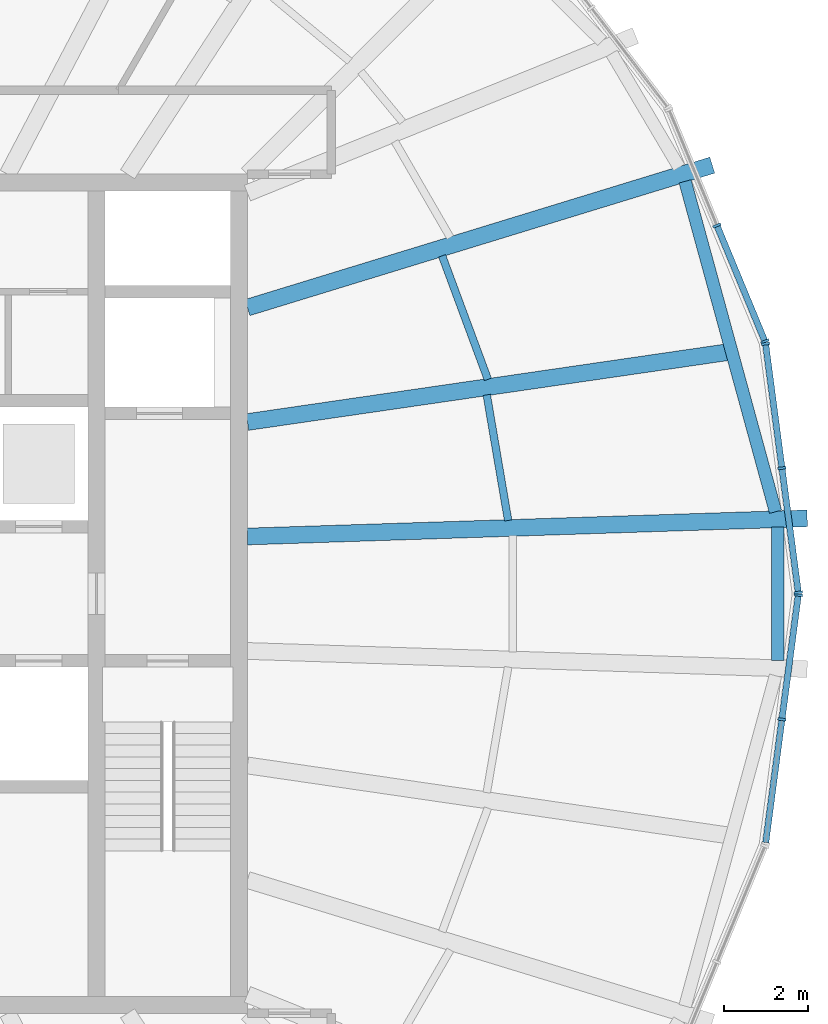
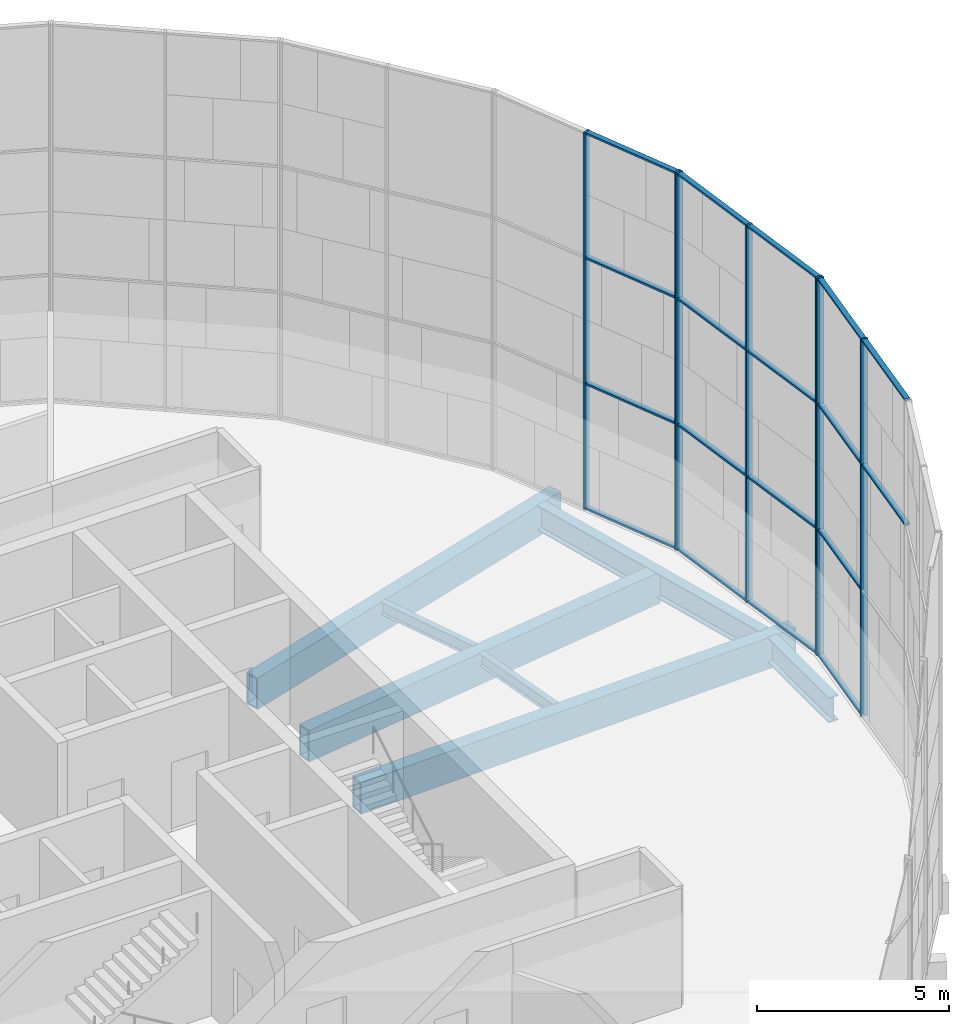
# One storey, part 5 of 23: 25 members, 7 beams, 3 elements without a shape of their own.
"""IFC4 building model written with IfcOpenShell, lengths in metres."""

from ifc_helpers import new_model, si_unit, direction, frame, origin, origin_2d, place, context, subcontext, project, spatial, rectangle, hollow_rectangle, i_section, extrude, material, material_profile, profile_set, type_object, element, aggregate, save


model = new_model("IFC4")

# Units and contexts
model_context = context("Model", 3, precision=1e-05, world=origin(), true_north=direction((0.0, 1.0)))
body_context = subcontext(model_context, "Body", "Model", "MODEL_VIEW")
ifc_project = project(units=[si_unit("LENGTHUNIT", "METRE"), si_unit("AREAUNIT", "SQUARE_METRE"), si_unit("VOLUMEUNIT", "CUBIC_METRE"), si_unit("PLANEANGLEUNIT", "RADIAN"), si_unit("MASSUNIT", "GRAM", prefix="KILO")], contexts=[model_context])

# Site, building, storey
site_placement = place(None, origin())
site = spatial("IfcSite", under=ifc_project, at=site_placement, CompositionType="ELEMENT")
building_placement = place(site_placement, origin())
building = spatial("IfcBuilding", under=site, at=building_placement, Name="Golbaran Civic Tower", CompositionType="ELEMENT")
storey_placement = place(building_placement, frame((0.0, 0.0, 220.0)))
storey = spatial("IfcBuildingStorey", under=building, at=storey_placement, Name="L53", CompositionType="ELEMENT", Elevation=220.0)

# Beams
ifc_material_1 = material(Name="Steel S355", Category="steel")
ifc_material_profile_1 = material_profile(ifc_material_1, i_section(OverallWidth=0.300048828125, OverallDepth=0.800048828125, WebThickness=0.017578125, FlangeThickness=0.032958984375, FilletRadius=0.030029296875, at=origin_2d()), Name="HEB 800")
ifc_profile_set_1 = profile_set([ifc_material_profile_1], Name="Steel S355")
beam_type_1 = type_object("IfcBeamType", Name="EDGE BEAM HEB 800", PredefinedType="BEAM", material=ifc_profile_set_1)
beam_1_placement = place(storey_placement, frame((22.587646484375, 1.953369140625, -0.60009765625), z_axis=(-0.264038175498, 0.964512230031, 0.0), x_axis=(-0.964512230031, -0.264038175498, 0.0)))
element("IfcBeam", 1, at=beam_1_placement, inside=storey, type_object=beam_type_1, Name="Edge beam 4.35 L53", PredefinedType="BEAM", context=body_context, shape_type="SweptSolid", body=[
    extrude(i_section(OverallWidth=0.300048828125, OverallDepth=0.800048828125, WebThickness=0.017578125, FlangeThickness=0.032958984375, FilletRadius=0.030029296875, at=origin_2d()), origin(), (0.0, 0.0, 1.0), 8.16552734375),
])
beam_2_placement = place(storey_placement, frame((22.63671875, -1.5947265625, -0.60009765625), z_axis=(0.0, 1.0, 0.0), x_axis=(-1.0, 0.0, 0.0)))
element("IfcBeam", 2, at=beam_2_placement, inside=storey, type_object=beam_type_1, Name="Edge beam 355.65 L53", PredefinedType="BEAM", context=body_context, shape_type="SweptSolid", body=[
    extrude(i_section(OverallWidth=0.300048828125, OverallDepth=0.800048828125, WebThickness=0.017578125, FlangeThickness=0.032958984375, FilletRadius=0.030029296875, at=origin_2d()), origin(), (0.0, 0.0, 1.0), 3.189453125),
])
ifc_material_profile_2 = material_profile(ifc_material_1, i_section(OverallWidth=0.179931640625, OverallDepth=0.39990234375, WebThickness=0.008544921875, FlangeThickness=0.013427734375, FilletRadius=0.02099609375, at=origin_2d()), Name="IPE 400")
ifc_profile_set_2 = profile_set([ifc_material_profile_2], Name="Steel S355")
beam_type_2 = type_object("IfcBeamType", Name="FLOOR INFILL BEAM IPE 400", PredefinedType="BEAM", material=ifc_profile_set_2)
beam_3_placement = place(storey_placement, frame((16.21435546875, 1.746337890625, -0.39990234375), z_axis=(-0.168046948827, 0.985778992975, 0.0), x_axis=(-0.985778992975, -0.168046948827, 0.0)))
element("IfcBeam", 3, at=beam_3_placement, inside=storey, type_object=beam_type_2, Name="Infill beam 9.67 L53", PredefinedType="BEAM", context=body_context, shape_type="SweptSolid", body=[
    extrude(i_section(OverallWidth=0.179931640625, OverallDepth=0.39990234375, WebThickness=0.008544921875, FlangeThickness=0.013427734375, FilletRadius=0.02099609375, at=origin_2d()), origin(), (0.0, 0.0, 1.0), 3.037841796875),
])
beam_4_placement = place(storey_placement, frame((15.73095703125, 5.108642578125, -0.39990234375), z_axis=(-0.347364974804, 0.9377300114, 0.0), x_axis=(-0.9377300114, -0.347364974804, 0.0)))
element("IfcBeam", 4, at=beam_4_placement, inside=storey, type_object=beam_type_2, Name="Infill beam 20.33 L53", PredefinedType="BEAM", context=body_context, shape_type="SweptSolid", body=[
    extrude(i_section(OverallWidth=0.179931640625, OverallDepth=0.39990234375, WebThickness=0.008544921875, FlangeThickness=0.013427734375, FilletRadius=0.02099609375, at=origin_2d()), origin(), (0.0, 0.0, 1.0), 3.1416015625),
])

# Curtain wall, members
ifc_material_2 = material(Name="Aluminium and glass", Category="aluminium")
curtain_wall_type = type_object("IfcCurtainWallType", Name="INNER SKIN CURTAIN WALL EXECUTIVE", PredefinedType="NOTDEFINED", material=ifc_material_2)
curtain_wall_1_placement = place(storey_placement, origin())
curtain_wall_1 = element("IfcCurtainWall", 5, at=curtain_wall_1_placement, inside=storey, type_object=curtain_wall_type, Name="Inner skin L53 facet 1 CW2", ObjectType="INNER SKIN", PredefinedType="USERDEFINED")
ifc_material_3 = material(Name="Aluminium", Category="aluminium")
ifc_material_profile_3 = material_profile(ifc_material_3, rectangle(XDim=0.199951171875, YDim=0.06005859375, at=origin_2d()), Name="INNER SKIN CURTAIN WALL EXECUTIVE MULLION")
ifc_profile_set_3 = profile_set([ifc_material_profile_3], Name="Aluminium")
member_type_1 = type_object("IfcMemberType", Name="INNER SKIN CURTAIN WALL EXECUTIVE MULLION", PredefinedType="MULLION", material=ifc_profile_set_3)
member_1_placement = place(storey_placement, frame((23.130126953125, 0.02978515625, 0.0), z_axis=(0.0, 0.0, 1.0), x_axis=(-0.991444861365, -0.130526192289, 0.0)))
member_1 = element("IfcMember", 6, at=member_1_placement, type_object=member_type_1, Name="CW2 mullion 1", PredefinedType="MULLION", context=body_context, shape_type="SweptSolid", body=[
    extrude(rectangle(XDim=0.199951171875, YDim=0.06005859375, at=origin_2d()), origin(), (0.0, 0.0, 1.0), 12.0),
])
member_2_placement = place(storey_placement, frame((22.73974609375, 2.99365234375, 0.0), z_axis=(0.0, 0.0, 1.0), x_axis=(-0.991444861365, -0.130526192289, 0.0)))
member_2 = element("IfcMember", 7, at=member_2_placement, type_object=member_type_1, Name="CW2 mullion 2", PredefinedType="MULLION", context=body_context, shape_type="SweptSolid", body=[
    extrude(rectangle(XDim=0.199951171875, YDim=0.06005859375, at=origin_2d()), origin(), (0.0, 0.0, 1.0), 12.0),
])
member_3_placement = place(storey_placement, frame((22.349609375, 5.957763671875, 0.0), z_axis=(0.0, 0.0, 1.0), x_axis=(-0.991444861365, -0.130526192289, 0.0)))
member_3 = element("IfcMember", 8, at=member_3_placement, type_object=member_type_1, Name="CW2 mullion 3", PredefinedType="MULLION", context=body_context, shape_type="SweptSolid", body=[
    extrude(rectangle(XDim=0.199951171875, YDim=0.06005859375, at=origin_2d()), origin(), (0.0, 0.0, 1.0), 12.0),
])

curtain_wall_2_placement = place(storey_placement, origin())
curtain_wall_2 = element("IfcCurtainWall", 9, at=curtain_wall_2_placement, inside=storey, type_object=curtain_wall_type, Name="Inner skin L53 facet 2 CW2", ObjectType="INNER SKIN", PredefinedType="USERDEFINED")
member_4_placement = place(storey_placement, frame((22.334228515625, 6.01513671875, 0.0), z_axis=(0.0, 0.0, 1.0), x_axis=(-0.923879532531, -0.382683432317, 0.0)))
member_4 = element("IfcMember", 10, at=member_4_placement, type_object=member_type_1, Name="CW2 mullion 1", PredefinedType="MULLION", context=body_context, shape_type="SweptSolid", body=[
    extrude(rectangle(XDim=0.199951171875, YDim=0.06005859375, at=origin_2d()), origin(), (0.0, 0.0, 1.0), 12.0),
])
member_5_placement = place(storey_placement, frame((21.190185546875, 8.77734375, 0.0), z_axis=(0.0, 0.0, 1.0), x_axis=(-0.923879532531, -0.382683432317, 0.0)))
member_5 = element("IfcMember", 11, at=member_5_placement, type_object=member_type_1, Name="CW2 mullion 2", PredefinedType="MULLION", context=body_context, shape_type="SweptSolid", body=[
    extrude(rectangle(XDim=0.199951171875, YDim=0.06005859375, at=origin_2d()), origin(), (0.0, 0.0, 1.0), 12.0),
])

curtain_wall_3_placement = place(storey_placement, origin())
curtain_wall_3 = element("IfcCurtainWall", 12, at=curtain_wall_3_placement, inside=storey, type_object=curtain_wall_type, Name="Inner skin L53 facet 24 CW2", ObjectType="INNER SKIN", PredefinedType="USERDEFINED")
member_6_placement = place(storey_placement, frame((22.73974609375, -2.99365234375, 0.0), z_axis=(0.0, 0.0, 1.0), x_axis=(-0.991444861365, 0.130526192289, 0.0)))
member_6 = element("IfcMember", 13, at=member_6_placement, type_object=member_type_1, Name="CW2 mullion 2", PredefinedType="MULLION", context=body_context, shape_type="SweptSolid", body=[
    extrude(rectangle(XDim=0.199951171875, YDim=0.06005859375, at=origin_2d()), origin(), (0.0, 0.0, 1.0), 12.0),
])
member_7_placement = place(storey_placement, frame((23.130126953125, -0.02978515625, 0.0), z_axis=(0.0, 0.0, 1.0), x_axis=(-0.991444861365, 0.130526192289, 0.0)))
member_7 = element("IfcMember", 14, at=member_7_placement, type_object=member_type_1, Name="CW2 mullion 3", PredefinedType="MULLION", context=body_context, shape_type="SweptSolid", body=[
    extrude(rectangle(XDim=0.199951171875, YDim=0.06005859375, at=origin_2d()), origin(), (0.0, 0.0, 1.0), 12.0),
])

# Member
ifc_material_profile_4 = material_profile(ifc_material_3, rectangle(XDim=0.14990234375, YDim=0.06005859375, at=origin_2d()), Name="INNER SKIN CURTAIN WALL EXECUTIVE TRANSOM")
ifc_profile_set_4 = profile_set([ifc_material_profile_4], Name="Aluminium")
member_type_2 = type_object("IfcMemberType", Name="INNER SKIN CURTAIN WALL EXECUTIVE TRANSOM", PredefinedType="USERDEFINED", material=ifc_profile_set_4)
member_8_placement = place(storey_placement, frame((23.126220703125, 0.0595703125, 0.030029296875), z_axis=(-0.130504094177, 0.991447770386, 0.0), x_axis=(-0.991447770386, -0.130504094177, 0.0)))
member_8 = element("IfcMember", 15, at=member_8_placement, type_object=member_type_2, Name="CW2 transom 1.1", ObjectType="TRANSOM", PredefinedType="USERDEFINED", context=body_context, shape_type="SweptSolid", body=[
    extrude(rectangle(XDim=0.14990234375, YDim=0.06005859375, at=origin_2d()), origin(), (0.0, 0.0, 1.0), 2.9296875),
])

member_9_placement = place(storey_placement, frame((23.126220703125, 0.0595703125, 4.0), z_axis=(-0.130504094177, 0.991447770386, 0.0), x_axis=(-0.991447770386, -0.130504094177, 0.0)))
member_9 = element("IfcMember", 16, at=member_9_placement, type_object=member_type_2, Name="CW2 transom 1.2", ObjectType="TRANSOM", PredefinedType="USERDEFINED", context=body_context, shape_type="SweptSolid", body=[
    extrude(rectangle(XDim=0.14990234375, YDim=0.06005859375, at=origin_2d()), origin(), (0.0, 0.0, 1.0), 2.9296875),
])

member_10_placement = place(storey_placement, frame((23.126220703125, 0.0595703125, 8.0), z_axis=(-0.130504094177, 0.991447770386, 0.0), x_axis=(-0.991447770386, -0.130504094177, 0.0)))
member_10 = element("IfcMember", 17, at=member_10_placement, type_object=member_type_2, Name="CW2 transom 1.3", ObjectType="TRANSOM", PredefinedType="USERDEFINED", context=body_context, shape_type="SweptSolid", body=[
    extrude(rectangle(XDim=0.14990234375, YDim=0.06005859375, at=origin_2d()), origin(), (0.0, 0.0, 1.0), 2.9296875),
])

member_11_placement = place(storey_placement, frame((23.126220703125, 0.0595703125, 11.969970703125), z_axis=(-0.130504094177, 0.991447770386, 0.0), x_axis=(-0.991447770386, -0.130504094177, 0.0)))
member_11 = element("IfcMember", 18, at=member_11_placement, type_object=member_type_2, Name="CW2 transom 1.4", ObjectType="TRANSOM", PredefinedType="USERDEFINED", context=body_context, shape_type="SweptSolid", body=[
    extrude(rectangle(XDim=0.14990234375, YDim=0.06005859375, at=origin_2d()), origin(), (0.0, 0.0, 1.0), 2.9296875),
])

member_12_placement = place(storey_placement, frame((22.73583984375, 3.0234375, 0.030029296875), z_axis=(-0.130504094177, 0.991447770386, 0.0), x_axis=(-0.991447770386, -0.130504094177, 0.0)))
member_12 = element("IfcMember", 19, at=member_12_placement, type_object=member_type_2, Name="CW2 transom 2.1", ObjectType="TRANSOM", PredefinedType="USERDEFINED", context=body_context, shape_type="SweptSolid", body=[
    extrude(rectangle(XDim=0.14990234375, YDim=0.06005859375, at=origin_2d()), origin(), (0.0, 0.0, 1.0), 2.9296875),
])

member_13_placement = place(storey_placement, frame((22.73583984375, 3.0234375, 4.0), z_axis=(-0.130504094177, 0.991447770386, 0.0), x_axis=(-0.991447770386, -0.130504094177, 0.0)))
member_13 = element("IfcMember", 20, at=member_13_placement, type_object=member_type_2, Name="CW2 transom 2.2", ObjectType="TRANSOM", PredefinedType="USERDEFINED", context=body_context, shape_type="SweptSolid", body=[
    extrude(rectangle(XDim=0.14990234375, YDim=0.06005859375, at=origin_2d()), origin(), (0.0, 0.0, 1.0), 2.9296875),
])

member_14_placement = place(storey_placement, frame((22.73583984375, 3.0234375, 8.0), z_axis=(-0.130504094177, 0.991447770386, 0.0), x_axis=(-0.991447770386, -0.130504094177, 0.0)))
member_14 = element("IfcMember", 21, at=member_14_placement, type_object=member_type_2, Name="CW2 transom 2.3", ObjectType="TRANSOM", PredefinedType="USERDEFINED", context=body_context, shape_type="SweptSolid", body=[
    extrude(rectangle(XDim=0.14990234375, YDim=0.06005859375, at=origin_2d()), origin(), (0.0, 0.0, 1.0), 2.9296875),
])

member_15_placement = place(storey_placement, frame((22.73583984375, 3.0234375, 11.969970703125), z_axis=(-0.130504094177, 0.991447770386, 0.0), x_axis=(-0.991447770386, -0.130504094177, 0.0)))
member_15 = element("IfcMember", 22, at=member_15_placement, type_object=member_type_2, Name="CW2 transom 2.4", ObjectType="TRANSOM", PredefinedType="USERDEFINED", context=body_context, shape_type="SweptSolid", body=[
    extrude(rectangle(XDim=0.14990234375, YDim=0.06005859375, at=origin_2d()), origin(), (0.0, 0.0, 1.0), 2.9296875),
])

aggregate(curtain_wall_1, [member_1, member_2, member_3, member_8, member_9, member_10, member_11, member_12, member_13, member_14, member_15])

member_16_placement = place(storey_placement, frame((22.32275390625, 6.04296875, 0.030029296875), z_axis=(-0.382685455921, 0.923878694324, 0.0), x_axis=(-0.923878694324, -0.382685455921, 0.0)))
member_16 = element("IfcMember", 23, at=member_16_placement, type_object=member_type_2, Name="CW2 transom 1.1", ObjectType="TRANSOM", PredefinedType="USERDEFINED", context=body_context, shape_type="SweptSolid", body=[
    extrude(rectangle(XDim=0.14990234375, YDim=0.06005859375, at=origin_2d()), origin(), (0.0, 0.0, 1.0), 2.929443359375),
])

member_17_placement = place(storey_placement, frame((22.32275390625, 6.04296875, 4.0), z_axis=(-0.382685455921, 0.923878694324, 0.0), x_axis=(-0.923878694324, -0.382685455921, 0.0)))
member_17 = element("IfcMember", 24, at=member_17_placement, type_object=member_type_2, Name="CW2 transom 1.2", ObjectType="TRANSOM", PredefinedType="USERDEFINED", context=body_context, shape_type="SweptSolid", body=[
    extrude(rectangle(XDim=0.14990234375, YDim=0.06005859375, at=origin_2d()), origin(), (0.0, 0.0, 1.0), 2.929443359375),
])

member_18_placement = place(storey_placement, frame((22.32275390625, 6.04296875, 8.0), z_axis=(-0.382685455921, 0.923878694324, 0.0), x_axis=(-0.923878694324, -0.382685455921, 0.0)))
member_18 = element("IfcMember", 25, at=member_18_placement, type_object=member_type_2, Name="CW2 transom 1.3", ObjectType="TRANSOM", PredefinedType="USERDEFINED", context=body_context, shape_type="SweptSolid", body=[
    extrude(rectangle(XDim=0.14990234375, YDim=0.06005859375, at=origin_2d()), origin(), (0.0, 0.0, 1.0), 2.929443359375),
])

member_19_placement = place(storey_placement, frame((22.32275390625, 6.04296875, 11.969970703125), z_axis=(-0.382685455921, 0.923878694324, 0.0), x_axis=(-0.923878694324, -0.382685455921, 0.0)))
member_19 = element("IfcMember", 26, at=member_19_placement, type_object=member_type_2, Name="CW2 transom 1.4", ObjectType="TRANSOM", PredefinedType="USERDEFINED", context=body_context, shape_type="SweptSolid", body=[
    extrude(rectangle(XDim=0.14990234375, YDim=0.06005859375, at=origin_2d()), origin(), (0.0, 0.0, 1.0), 2.929443359375),
])

aggregate(curtain_wall_2, [member_4, member_5, member_16, member_17, member_18, member_19])

member_20_placement = place(storey_placement, frame((22.353515625, -5.927978515625, 8.0), z_axis=(0.130504094177, 0.991447770386, 0.0), x_axis=(-0.991447770386, 0.130504094177, 0.0)))
member_20 = element("IfcMember", 27, at=member_20_placement, type_object=member_type_2, Name="CW2 transom 1.3", ObjectType="TRANSOM", PredefinedType="USERDEFINED", context=body_context, shape_type="SweptSolid", body=[
    extrude(rectangle(XDim=0.14990234375, YDim=0.06005859375, at=origin_2d()), origin(), (0.0, 0.0, 1.0), 2.9296875),
])

member_21_placement = place(storey_placement, frame((22.353515625, -5.927978515625, 11.969970703125), z_axis=(0.130504094177, 0.991447770386, 0.0), x_axis=(-0.991447770386, 0.130504094177, 0.0)))
member_21 = element("IfcMember", 28, at=member_21_placement, type_object=member_type_2, Name="CW2 transom 1.4", ObjectType="TRANSOM", PredefinedType="USERDEFINED", context=body_context, shape_type="SweptSolid", body=[
    extrude(rectangle(XDim=0.14990234375, YDim=0.06005859375, at=origin_2d()), origin(), (0.0, 0.0, 1.0), 2.9296875),
])

member_22_placement = place(storey_placement, frame((22.743896484375, -2.964111328125, 0.030029296875), z_axis=(0.130504094177, 0.991447770386, 0.0), x_axis=(-0.991447770386, 0.130504094177, 0.0)))
member_22 = element("IfcMember", 29, at=member_22_placement, type_object=member_type_2, Name="CW2 transom 2.1", ObjectType="TRANSOM", PredefinedType="USERDEFINED", context=body_context, shape_type="SweptSolid", body=[
    extrude(rectangle(XDim=0.14990234375, YDim=0.06005859375, at=origin_2d()), origin(), (0.0, 0.0, 1.0), 2.9296875),
])

member_23_placement = place(storey_placement, frame((22.743896484375, -2.964111328125, 4.0), z_axis=(0.130504094177, 0.991447770386, 0.0), x_axis=(-0.991447770386, 0.130504094177, 0.0)))
member_23 = element("IfcMember", 30, at=member_23_placement, type_object=member_type_2, Name="CW2 transom 2.2", ObjectType="TRANSOM", PredefinedType="USERDEFINED", context=body_context, shape_type="SweptSolid", body=[
    extrude(rectangle(XDim=0.14990234375, YDim=0.06005859375, at=origin_2d()), origin(), (0.0, 0.0, 1.0), 2.9296875),
])

member_24_placement = place(storey_placement, frame((22.743896484375, -2.964111328125, 8.0), z_axis=(0.130504094177, 0.991447770386, 0.0), x_axis=(-0.991447770386, 0.130504094177, 0.0)))
member_24 = element("IfcMember", 31, at=member_24_placement, type_object=member_type_2, Name="CW2 transom 2.3", ObjectType="TRANSOM", PredefinedType="USERDEFINED", context=body_context, shape_type="SweptSolid", body=[
    extrude(rectangle(XDim=0.14990234375, YDim=0.06005859375, at=origin_2d()), origin(), (0.0, 0.0, 1.0), 2.9296875),
])

member_25_placement = place(storey_placement, frame((22.743896484375, -2.964111328125, 11.969970703125), z_axis=(0.130504094177, 0.991447770386, 0.0), x_axis=(-0.991447770386, 0.130504094177, 0.0)))
member_25 = element("IfcMember", 32, at=member_25_placement, type_object=member_type_2, Name="CW2 transom 2.4", ObjectType="TRANSOM", PredefinedType="USERDEFINED", context=body_context, shape_type="SweptSolid", body=[
    extrude(rectangle(XDim=0.14990234375, YDim=0.06005859375, at=origin_2d()), origin(), (0.0, 0.0, 1.0), 2.9296875),
])

aggregate(curtain_wall_3, [member_6, member_7, member_20, member_21, member_22, member_23, member_24, member_25])

# Beams
ifc_material_profile_5 = material_profile(ifc_material_1, hollow_rectangle(XDim=0.39990234375, YDim=1.0, WallThickness=0.050048828125, at=origin_2d()), Name="BOX 1000x400x50")
ifc_profile_set_5 = profile_set([ifc_material_profile_5], Name="Steel S355")
beam_type_3 = type_object("IfcBeamType", Name="RADIAL FLOOR BEAM BOX 1000x400x50", PredefinedType="BEAM", material=ifc_profile_set_5)
beam_5_placement = place(storey_placement, frame((10.0, 1.3642578125, -0.7099609375), z_axis=(0.999472347928, 0.032481159581, 0.0), x_axis=(-0.032481159581, 0.999472347928, 0.0)))
element("IfcBeam", 33, at=beam_5_placement, inside=storey, type_object=beam_type_3, Name="Radial beam 4.35 L53", PredefinedType="BEAM", context=body_context, shape_type="SweptSolid", body=[
    extrude(hollow_rectangle(XDim=0.39990234375, YDim=1.0, WallThickness=0.050048828125, at=origin_2d()), origin(), (0.0, 0.0, 1.0), 13.34912109375),
])
beam_6_placement = place(storey_placement, frame((10.0, 6.821533203125, -0.7099609375), z_axis=(0.956138192385, 0.29291595563, 0.0), x_axis=(-0.29291595563, 0.956138192385, 0.0)))
element("IfcBeam", 34, at=beam_6_placement, inside=storey, type_object=beam_type_3, Name="Radial beam 25.65 L53", PredefinedType="BEAM", context=body_context, shape_type="SweptSolid", body=[
    extrude(hollow_rectangle(XDim=0.39990234375, YDim=1.0, WallThickness=0.050048828125, at=origin_2d()), origin(), (0.0, 0.0, 1.0), 11.587158203125),
])
ifc_material_profile_6 = material_profile(ifc_material_1, hollow_rectangle(XDim=0.39990234375, YDim=1.0, WallThickness=0.0400390625, at=origin_2d()), Name="BOX 1000x400x40")
ifc_profile_set_6 = profile_set([ifc_material_profile_6], Name="Steel S355")
beam_type_4 = type_object("IfcBeamType", Name="SECONDARY FLOOR BEAM BOX 1000x400x40", PredefinedType="BEAM", material=ifc_profile_set_6)
beam_7_placement = place(storey_placement, frame((10.0, 4.0927734375, -0.7099609375), z_axis=(0.989579445133, 0.14398792231, 0.0), x_axis=(-0.14398792231, 0.989579445133, 0.0)))
element("IfcBeam", 35, at=beam_7_placement, inside=storey, type_object=beam_type_4, Name="Secondary beam 15.00 L53", PredefinedType="BEAM", context=body_context, shape_type="SweptSolid", body=[
    extrude(hollow_rectangle(XDim=0.39990234375, YDim=1.0, WallThickness=0.0400390625, at=origin_2d()), origin(), (0.0, 0.0, 1.0), 11.663818359375),
])

save(model, "model.ifc")
